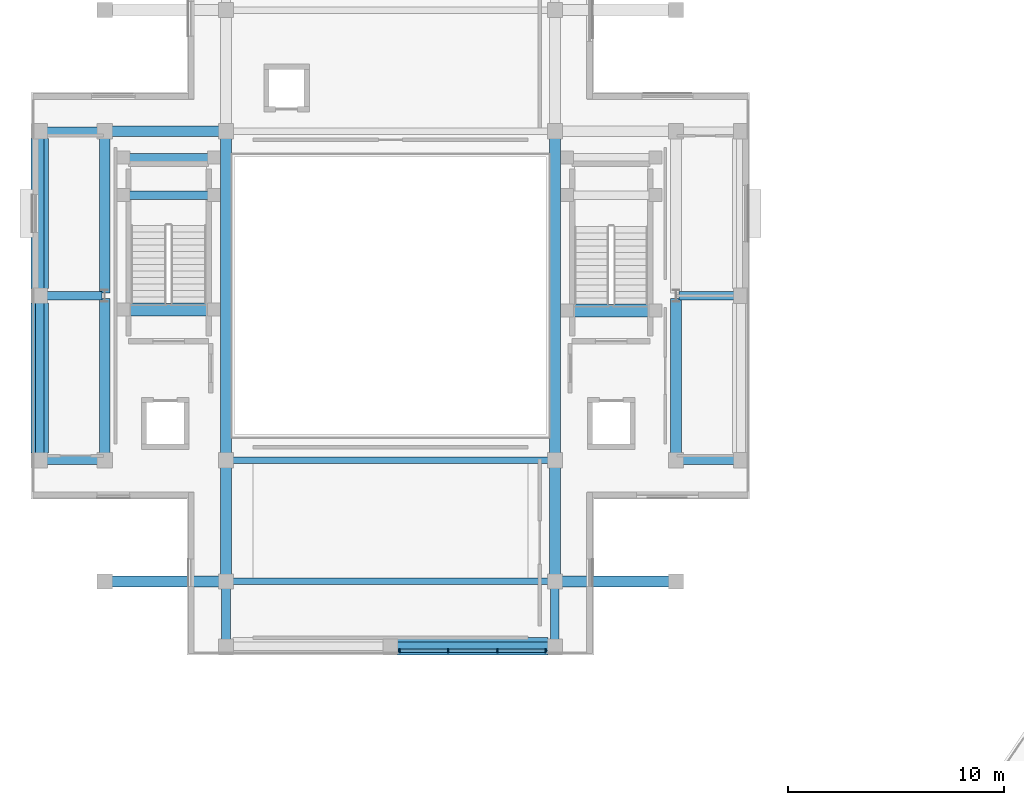
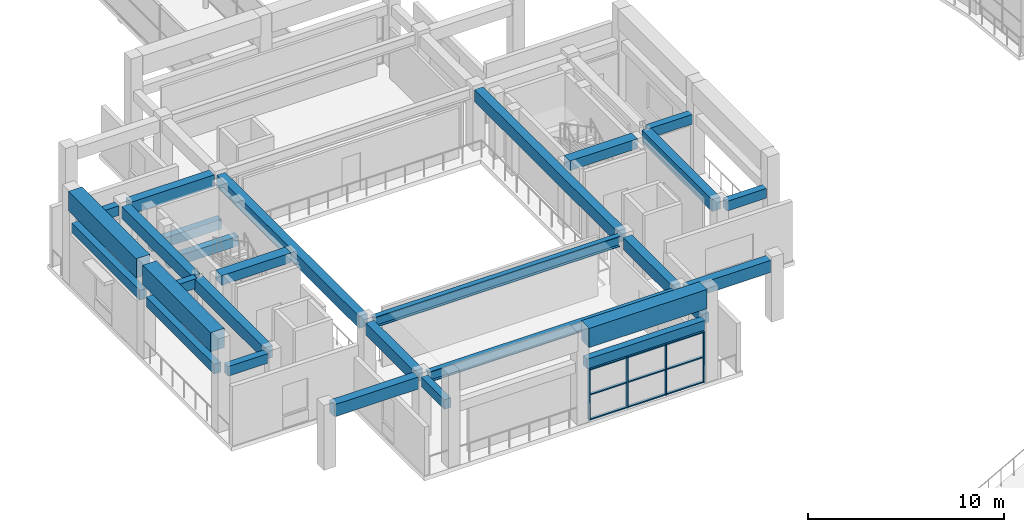
# One storey, part 7 of 29: 29 beams, 13 members, 1 element without a shape of its own.
"""IFC4 building model written with IfcOpenShell, lengths in metres."""

from ifc_helpers import new_model, si_unit, direction, frame, origin, origin_2d, place, context, subcontext, project, spatial, rectangle, i_section, extrude, material, material_profile, profile_set, type_object, element, aggregate, save


model = new_model("IFC4")

# Units and contexts
model_context = context("Model", 3, precision=1e-05, world=origin(), true_north=direction((0.0, 1.0)))
body_context = subcontext(model_context, "Body", "Model", "MODEL_VIEW")
ifc_project = project(units=[si_unit("LENGTHUNIT", "METRE"), si_unit("AREAUNIT", "SQUARE_METRE"), si_unit("VOLUMEUNIT", "CUBIC_METRE"), si_unit("PLANEANGLEUNIT", "RADIAN"), si_unit("MASSUNIT", "GRAM", prefix="KILO")], contexts=[model_context])

# Site, building, storey
site_placement = place(None, origin())
site = spatial("IfcSite", under=ifc_project, at=site_placement, CompositionType="ELEMENT")
building_placement = place(site_placement, origin())
building = spatial("IfcBuilding", under=site, at=building_placement, Name="Saryqyr Civic Hall", CompositionType="ELEMENT")
storey_placement = place(building_placement, frame((0.0, 0.0, 25.35009765625)))
storey = spatial("IfcBuildingStorey", under=building, at=storey_placement, Name="L06", CompositionType="ELEMENT", Elevation=25.35009765625)

# Curtain wall, members
ifc_material_1 = material(Name="Anodised aluminium and triple low-E glass", Category="aluminium")
curtain_wall_type = type_object("IfcCurtainWallType", Name="ENV-CW-HVY-49", PredefinedType="NOTDEFINED", material=ifc_material_1)
curtain_wall_placement = place(storey_placement, origin())
curtain_wall = element("IfcCurtainWall", 1, at=curtain_wall_placement, inside=storey, type_object=curtain_wall_type, Name="Curtain wall V1-CW-L06-11", PredefinedType="NOTDEFINED")
ifc_material_2 = material(Name="Anodised aluminium", Category="aluminium")
ifc_material_profile_1 = material_profile(ifc_material_2, rectangle(XDim=0.070068359375, YDim=0.199951171875, at=origin_2d()), Name="ALU MULLION 70x200")
ifc_profile_set_1 = profile_set([ifc_material_profile_1], Name="Anodised aluminium")
member_type_1 = type_object("IfcMemberType", Name="ENV-CW-MUL-220", PredefinedType="MULLION", material=ifc_profile_set_1)
member_1_placement = place(storey_placement, frame((64.175048828125, 67.60009765625, 0.0), z_axis=(0.0, 0.0, 1.0), x_axis=(-1.0, 0.0, 0.0)))
member_1 = element("IfcMember", 2, at=member_1_placement, type_object=member_type_1, Name="CW-49 mullion 1", PredefinedType="MULLION", context=body_context, shape_type="SweptSolid", body=[
    extrude(rectangle(XDim=0.070068359375, YDim=0.199951171875, at=origin_2d()), origin(), (0.0, 0.0, 1.0), 3.1748046875),
])
member_2_placement = place(storey_placement, frame((61.936767578125, 67.60009765625, 0.0), z_axis=(0.0, 0.0, 1.0), x_axis=(-1.0, 0.0, 0.0)))
member_2 = element("IfcMember", 3, at=member_2_placement, type_object=member_type_1, Name="CW-49 mullion 2", PredefinedType="MULLION", context=body_context, shape_type="SweptSolid", body=[
    extrude(rectangle(XDim=0.070068359375, YDim=0.199951171875, at=origin_2d()), origin(), (0.0, 0.0, 1.0), 3.1748046875),
])
member_3_placement = place(storey_placement, frame((59.663330078125, 67.60009765625, 0.0), z_axis=(0.0, 0.0, 1.0), x_axis=(-1.0, 0.0, 0.0)))
member_3 = element("IfcMember", 4, at=member_3_placement, type_object=member_type_1, Name="CW-49 mullion 3", PredefinedType="MULLION", context=body_context, shape_type="SweptSolid", body=[
    extrude(rectangle(XDim=0.070068359375, YDim=0.199951171875, at=origin_2d()), origin(), (0.0, 0.0, 1.0), 3.1748046875),
])
member_4_placement = place(storey_placement, frame((57.425048828125, 67.60009765625, 0.0), z_axis=(0.0, 0.0, 1.0), x_axis=(-1.0, 0.0, 0.0)))
member_4 = element("IfcMember", 5, at=member_4_placement, type_object=member_type_1, Name="CW-49 mullion 4", PredefinedType="MULLION", context=body_context, shape_type="SweptSolid", body=[
    extrude(rectangle(XDim=0.070068359375, YDim=0.199951171875, at=origin_2d()), origin(), (0.0, 0.0, 1.0), 3.1748046875),
])
ifc_material_profile_2 = material_profile(ifc_material_2, rectangle(XDim=0.14990234375, YDim=0.070068359375, at=origin_2d()), Name="ALU TRANSOM 150x70")
ifc_profile_set_2 = profile_set([ifc_material_profile_2], Name="Anodised aluminium")
member_type_2 = type_object("IfcMemberType", Name="ENV-CW-TRN-180", PredefinedType="USERDEFINED", material=ifc_profile_set_2)
member_5_placement = place(storey_placement, frame((64.139892578125, 67.60009765625, 0.034912109375), z_axis=(-1.0, 0.0, 0.0), x_axis=(0.0, -1.0, 0.0)))
member_5 = element("IfcMember", 6, at=member_5_placement, type_object=member_type_2, Name="CW-49 transom 1.1", ObjectType="TRANSOM", PredefinedType="USERDEFINED", context=body_context, shape_type="SweptSolid", body=[
    extrude(rectangle(XDim=0.14990234375, YDim=0.070068359375, at=origin_2d()), origin(), (0.0, 0.0, 1.0), 2.168212890625),
])
member_6_placement = place(storey_placement, frame((64.139892578125, 67.60009765625, 1.587890625), z_axis=(-1.0, 0.0, 0.0), x_axis=(0.0, -1.0, 0.0)))
member_6 = element("IfcMember", 7, at=member_6_placement, type_object=member_type_2, Name="CW-49 transom 1.2", ObjectType="TRANSOM", PredefinedType="USERDEFINED", context=body_context, shape_type="SweptSolid", body=[
    extrude(rectangle(XDim=0.14990234375, YDim=0.070068359375, at=origin_2d()), origin(), (0.0, 0.0, 1.0), 2.168212890625),
])
member_7_placement = place(storey_placement, frame((64.139892578125, 67.60009765625, 3.139892578125), z_axis=(-1.0, 0.0, 0.0), x_axis=(0.0, -1.0, 0.0)))
member_7 = element("IfcMember", 8, at=member_7_placement, type_object=member_type_2, Name="CW-49 transom 1.3", ObjectType="TRANSOM", PredefinedType="USERDEFINED", context=body_context, shape_type="SweptSolid", body=[
    extrude(rectangle(XDim=0.14990234375, YDim=0.070068359375, at=origin_2d()), origin(), (0.0, 0.0, 1.0), 2.168212890625),
])
member_8_placement = place(storey_placement, frame((61.901611328125, 67.60009765625, 0.034912109375), z_axis=(-1.0, 0.0, 0.0), x_axis=(0.0, -1.0, 0.0)))
member_8 = element("IfcMember", 9, at=member_8_placement, type_object=member_type_2, Name="CW-49 transom 2.1", ObjectType="TRANSOM", PredefinedType="USERDEFINED", context=body_context, shape_type="SweptSolid", body=[
    extrude(rectangle(XDim=0.14990234375, YDim=0.070068359375, at=origin_2d()), origin(), (0.0, 0.0, 1.0), 2.203369140625),
])
member_9_placement = place(storey_placement, frame((61.901611328125, 67.60009765625, 1.587890625), z_axis=(-1.0, 0.0, 0.0), x_axis=(0.0, -1.0, 0.0)))
member_9 = element("IfcMember", 10, at=member_9_placement, type_object=member_type_2, Name="CW-49 transom 2.2", ObjectType="TRANSOM", PredefinedType="USERDEFINED", context=body_context, shape_type="SweptSolid", body=[
    extrude(rectangle(XDim=0.14990234375, YDim=0.070068359375, at=origin_2d()), origin(), (0.0, 0.0, 1.0), 2.203369140625),
])
member_10_placement = place(storey_placement, frame((61.901611328125, 67.60009765625, 3.139892578125), z_axis=(-1.0, 0.0, 0.0), x_axis=(0.0, -1.0, 0.0)))
member_10 = element("IfcMember", 11, at=member_10_placement, type_object=member_type_2, Name="CW-49 transom 2.3", ObjectType="TRANSOM", PredefinedType="USERDEFINED", context=body_context, shape_type="SweptSolid", body=[
    extrude(rectangle(XDim=0.14990234375, YDim=0.070068359375, at=origin_2d()), origin(), (0.0, 0.0, 1.0), 2.203369140625),
])
member_11_placement = place(storey_placement, frame((59.62841796875, 67.60009765625, 0.034912109375), z_axis=(-1.0, 0.0, 0.0), x_axis=(0.0, -1.0, 0.0)))
member_11 = element("IfcMember", 12, at=member_11_placement, type_object=member_type_2, Name="CW-49 transom 3.1", ObjectType="TRANSOM", PredefinedType="USERDEFINED", context=body_context, shape_type="SweptSolid", body=[
    extrude(rectangle(XDim=0.14990234375, YDim=0.070068359375, at=origin_2d()), origin(), (0.0, 0.0, 1.0), 2.16845703125),
])
member_12_placement = place(storey_placement, frame((59.62841796875, 67.60009765625, 1.587890625), z_axis=(-1.0, 0.0, 0.0), x_axis=(0.0, -1.0, 0.0)))
member_12 = element("IfcMember", 13, at=member_12_placement, type_object=member_type_2, Name="CW-49 transom 3.2", ObjectType="TRANSOM", PredefinedType="USERDEFINED", context=body_context, shape_type="SweptSolid", body=[
    extrude(rectangle(XDim=0.14990234375, YDim=0.070068359375, at=origin_2d()), origin(), (0.0, 0.0, 1.0), 2.16845703125),
])
member_13_placement = place(storey_placement, frame((59.62841796875, 67.60009765625, 3.139892578125), z_axis=(-1.0, 0.0, 0.0), x_axis=(0.0, -1.0, 0.0)))
member_13 = element("IfcMember", 14, at=member_13_placement, type_object=member_type_2, Name="CW-49 transom 3.3", ObjectType="TRANSOM", PredefinedType="USERDEFINED", context=body_context, shape_type="SweptSolid", body=[
    extrude(rectangle(XDim=0.14990234375, YDim=0.070068359375, at=origin_2d()), origin(), (0.0, 0.0, 1.0), 2.16845703125),
])
aggregate(curtain_wall, [member_1, member_2, member_3, member_4, member_5, member_6, member_7, member_8, member_9, member_10, member_11, member_12, member_13])

# Beams
ifc_material_3 = material(Name="Steel S355", Category="steel")
ifc_material_profile_3 = material_profile(ifc_material_3, i_section(OverallWidth=0.300048828125, OverallDepth=0.64990234375, WebThickness=0.01611328125, FlangeThickness=0.031005859375, at=origin_2d()), Name="HEB 650")
ifc_profile_set_3 = profile_set([ifc_material_profile_3], Name="Steel S355")
beam_type_1 = type_object("IfcBeamType", Name="STR-BM-HEB650", PredefinedType="BEAM", material=ifc_profile_set_3)
for number, where, z_axis, x_axis, name in (
    (15, (49.72509765625, 70.800048828125, 3.474853515625), (1.0, 0.0, 0.0), (0.0, 1.0, 0.0), "Beam V1-GBM-EW1-L06"),
    (16, (49.72509765625, 76.39990234375, 3.474853515625), (1.0, 0.0, 0.0), (0.0, 1.0, 0.0), "Beam V1-GBM-EW2-L06"),
):
    element("IfcBeam", number, at=place(storey_placement, frame(where, z_axis=z_axis, x_axis=x_axis)), inside=storey, type_object=beam_type_1, Name=name, PredefinedType="BEAM", context=body_context, shape_type="SweptSolid", body=[
        extrude(i_section(OverallWidth=0.300048828125, OverallDepth=0.64990234375, WebThickness=0.01611328125, FlangeThickness=0.031005859375, at=origin_2d()), origin(), (0.0, 0.0, 1.0), 14.5498046875),
    ])
ifc_material_4 = material(Name="Concrete C35/45", Category="concrete")
ifc_material_profile_4 = material_profile(ifc_material_4, rectangle(XDim=0.39990234375, YDim=0.60009765625, at=origin_2d()), Name="RC 400x600")
ifc_profile_set_4 = profile_set([ifc_material_profile_4], Name="Concrete C35/45")
beam_type_2 = type_object("IfcBeamType", Name="STR-BM-RC400x600", PredefinedType="BEAM", material=ifc_profile_set_4)
beam_1_placement = place(storey_placement, frame((41.125, 76.39990234375, 3.5), z_axis=(1.0, 0.0, 0.0), x_axis=(0.0, 1.0, 0.0)))
element("IfcBeam", 17, at=beam_1_placement, inside=storey, type_object=beam_type_2, Name="Beam V1-TBM-01-L06", PredefinedType="BEAM", context=body_context, shape_type="SweptSolid", body=[
    extrude(rectangle(XDim=0.39990234375, YDim=0.60009765625, at=origin_2d()), origin(), (0.0, 0.0, 1.0), 2.35009765625),
])
beam_2_placement = place(storey_placement, frame((41.125, 84.0, 3.5), z_axis=(1.0, 0.0, 0.0), x_axis=(0.0, 1.0, 0.0)))
element("IfcBeam", 18, at=beam_2_placement, inside=storey, type_object=beam_type_2, Name="Beam V1-TBM-02-L06", PredefinedType="BEAM", context=body_context, shape_type="SweptSolid", body=[
    extrude(rectangle(XDim=0.39990234375, YDim=0.60009765625, at=origin_2d()), origin(), (0.0, 0.0, 1.0), 2.550048828125),
])
for number, where, z_axis, x_axis, name in (
    (19, (41.125, 91.60009765625, 3.5), (1.0, 0.0, 0.0), (0.0, 1.0, 0.0), "Beam V1-TBM-03-L06"),
    (20, (70.52490234375, 76.39990234375, 3.5), (1.0, 0.0, 0.0), (0.0, 1.0, 0.0), "Beam V1-TBM-04-L06"),
):
    element("IfcBeam", number, at=place(storey_placement, frame(where, z_axis=z_axis, x_axis=x_axis)), inside=storey, type_object=beam_type_2, Name=name, PredefinedType="BEAM", context=body_context, shape_type="SweptSolid", body=[
        extrude(rectangle(XDim=0.39990234375, YDim=0.60009765625, at=origin_2d()), origin(), (0.0, 0.0, 1.0), 2.35009765625),
    ])
beam_3_placement = place(storey_placement, frame((70.324951171875, 84.0, 3.5), z_axis=(1.0, 0.0, 0.0), x_axis=(0.0, 1.0, 0.0)))
element("IfcBeam", 21, at=beam_3_placement, inside=storey, type_object=beam_type_2, Name="Beam V1-TBM-05-L06", PredefinedType="BEAM", context=body_context, shape_type="SweptSolid", body=[
    extrude(rectangle(XDim=0.39990234375, YDim=0.60009765625, at=origin_2d()), origin(), (0.0, 0.0, 1.0), 2.550048828125),
])
for number, where, z_axis, x_axis, name in (
    (22, (49.39990234375, 68.125, 3.5), (0.0, 1.0, 0.0), (-1.0, 0.0, 0.0), "Beam V1-TBM-07-L06"),
    (23, (64.60009765625, 68.125, 3.5), (0.0, 1.0, 0.0), (-1.0, 0.0, 0.0), "Beam V1-TBM-08-L06"),
):
    element("IfcBeam", number, at=place(storey_placement, frame(where, z_axis=z_axis, x_axis=x_axis)), inside=storey, type_object=beam_type_2, Name=name, PredefinedType="BEAM", context=body_context, shape_type="SweptSolid", body=[
        extrude(rectangle(XDim=0.39990234375, YDim=0.60009765625, at=origin_2d()), origin(), (0.0, 0.0, 1.0), 2.35009765625),
    ])
for number, where, z_axis, x_axis, name in (
    (24, (40.800048828125, 76.72509765625, 3.5), (0.0, 1.0, 0.0), (-1.0, 0.0, 0.0), "Beam V1-TBM-11-L06"),
    (25, (40.800048828125, 84.324951171875, 3.5), (0.0, 1.0, 0.0), (-1.0, 0.0, 0.0), "Beam V1-TBM-12-L06"),
    (26, (57.324951171875, 67.800048828125, 3.5), (1.0, 0.0, 0.0), (0.0, 1.0, 0.0), "Beam V1-TBM-16-L06"),
):
    element("IfcBeam", number, at=place(storey_placement, frame(where, z_axis=z_axis, x_axis=x_axis)), inside=storey, type_object=beam_type_2, Name=name, PredefinedType="BEAM", context=body_context, shape_type="SweptSolid", body=[
        extrude(rectangle(XDim=0.39990234375, YDim=0.60009765625, at=origin_2d()), origin(), (0.0, 0.0, 1.0), 6.949951171875),
    ])
for number, where, z_axis, x_axis, name in (
    (27, (48.800048828125, 88.64990234375, 1.52490234375), (-1.0, 0.0, 0.0), (0.0, -1.0, 0.0), "Stair half-landing support beam ST-1-LND1-L06"),
    (28, (48.800048828125, 90.3798828125, 1.52490234375), (-1.0, 0.0, 0.0), (0.0, -1.0, 0.0), "Stair half-landing support beam ST-1-LND2-L06"),
):
    element("IfcBeam", number, at=place(storey_placement, frame(where, z_axis=z_axis, x_axis=x_axis)), inside=storey, type_object=beam_type_2, Name=name, PredefinedType="BEAM", context=body_context, shape_type="SweptSolid", body=[
        extrude(rectangle(XDim=0.39990234375, YDim=0.60009765625, at=origin_2d()), origin(), (0.0, 0.0, 1.0), 4.10009765625),
    ])
ifc_material_5 = material(Name="Concrete C40/50", Category="concrete")
ifc_material_profile_5 = material_profile(ifc_material_5, rectangle(XDim=0.5, YDim=0.75, at=origin_2d()), Name="RC 500x750")
ifc_profile_set_5 = profile_set([ifc_material_profile_5], Name="Concrete C40/50")
beam_type_3 = type_object("IfcBeamType", Name="STR-BM-RC500x750", PredefinedType="BEAM", material=ifc_profile_set_5)
for number, where, z_axis, x_axis, name in (
    (29, (44.125, 70.800048828125, 3.4248046875), (1.0, 0.0, 0.0), (0.0, 1.0, 0.0), "Beam V1-WBM-W1-L06"),
    (30, (64.925048828125, 70.800048828125, 3.4248046875), (1.0, 0.0, 0.0), (0.0, 1.0, 0.0), "Beam V1-WBM-E1-L06"),
    (31, (44.125, 91.60009765625, 3.4248046875), (1.0, 0.0, 0.0), (0.0, 1.0, 0.0), "Beam V1-WBM-W3-L06"),
):
    element("IfcBeam", number, at=place(storey_placement, frame(where, z_axis=z_axis, x_axis=x_axis)), inside=storey, type_object=beam_type_3, Name=name, PredefinedType="BEAM", context=body_context, shape_type="SweptSolid", body=[
        extrude(rectangle(XDim=0.5, YDim=0.75, at=origin_2d()), origin(), (0.0, 0.0, 1.0), 4.949951171875),
    ])
for number, where, z_axis, x_axis, name in (
    (32, (43.800048828125, 76.72509765625, 3.4248046875), (0.0, 1.0, 0.0), (-1.0, 0.0, 0.0), "Beam V1-BM-NS1A-L06"),
    (33, (43.800048828125, 84.125, 3.4248046875), (0.0, 1.0, 0.0), (-1.0, 0.0, 0.0), "Beam V1-BM-NS1B-L06"),
):
    element("IfcBeam", number, at=place(storey_placement, frame(where, z_axis=z_axis, x_axis=x_axis)), inside=storey, type_object=beam_type_3, Name=name, PredefinedType="BEAM", context=body_context, shape_type="SweptSolid", body=[
        extrude(rectangle(XDim=0.5, YDim=0.75, at=origin_2d()), origin(), (0.0, 0.0, 1.0), 7.14990234375),
    ])
beam_4_placement = place(storey_placement, frame((49.39990234375, 71.125, 3.4248046875), z_axis=(0.0, 1.0, 0.0), x_axis=(-1.0, 0.0, 0.0)))
element("IfcBeam", 34, at=beam_4_placement, inside=storey, type_object=beam_type_3, Name="Beam V1-BM-NS21-L06", PredefinedType="BEAM", context=body_context, shape_type="SweptSolid", body=[
    extrude(rectangle(XDim=0.5, YDim=0.75, at=origin_2d()), origin(), (0.0, 0.0, 1.0), 4.949951171875),
])
beam_5_placement = place(storey_placement, frame((49.39990234375, 76.72509765625, 3.4248046875), z_axis=(0.0, 1.0, 0.0), x_axis=(-1.0, 0.0, 0.0)))
element("IfcBeam", 35, at=beam_5_placement, inside=storey, type_object=beam_type_3, Name="Beam V1-BM-NS22-L06", PredefinedType="BEAM", context=body_context, shape_type="SweptSolid", body=[
    extrude(rectangle(XDim=0.5, YDim=0.75, at=origin_2d()), origin(), (0.0, 0.0, 1.0), 14.5498046875),
])
beam_6_placement = place(storey_placement, frame((64.60009765625, 71.125, 3.4248046875), z_axis=(0.0, 1.0, 0.0), x_axis=(-1.0, 0.0, 0.0)))
element("IfcBeam", 36, at=beam_6_placement, inside=storey, type_object=beam_type_3, Name="Beam V1-BM-NS31-L06", PredefinedType="BEAM", context=body_context, shape_type="SweptSolid", body=[
    extrude(rectangle(XDim=0.5, YDim=0.75, at=origin_2d()), origin(), (0.0, 0.0, 1.0), 4.949951171875),
])
beam_7_placement = place(storey_placement, frame((64.60009765625, 76.72509765625, 3.4248046875), z_axis=(0.0, 1.0, 0.0), x_axis=(-1.0, 0.0, 0.0)))
element("IfcBeam", 37, at=beam_7_placement, inside=storey, type_object=beam_type_3, Name="Beam V1-BM-NS32-L06", PredefinedType="BEAM", context=body_context, shape_type="SweptSolid", body=[
    extrude(rectangle(XDim=0.5, YDim=0.75, at=origin_2d()), origin(), (0.0, 0.0, 1.0), 14.5498046875),
])
beam_8_placement = place(storey_placement, frame((70.199951171875, 76.72509765625, 3.4248046875), z_axis=(0.0, 1.0, 0.0), x_axis=(-1.0, 0.0, 0.0)))
element("IfcBeam", 38, at=beam_8_placement, inside=storey, type_object=beam_type_3, Name="Beam V1-BM-NS4A-L06", PredefinedType="BEAM", context=body_context, shape_type="SweptSolid", body=[
    extrude(rectangle(XDim=0.5, YDim=0.75, at=origin_2d()), origin(), (0.0, 0.0, 1.0), 7.14990234375),
])
ifc_material_profile_6 = material_profile(ifc_material_5, rectangle(XDim=0.60009765625, YDim=0.60009765625, at=origin_2d()), Name="RC 600x600")
ifc_profile_set_6 = profile_set([ifc_material_profile_6], Name="Concrete C40/50")
beam_type_4 = type_object("IfcBeamType", Name="STR-BM-RC600x600", PredefinedType="BEAM", material=ifc_profile_set_6)
beam_9_placement = place(storey_placement, frame((48.800048828125, 83.364990234375, 3.75), z_axis=(-1.0, 0.0, 0.0), x_axis=(0.0, -1.0, 0.0)))
element("IfcBeam", 39, at=beam_9_placement, inside=storey, type_object=beam_type_4, Name="Stair well trimmer beam ST-1-L07", PredefinedType="BEAM", context=body_context, shape_type="SweptSolid", body=[
    extrude(rectangle(XDim=0.60009765625, YDim=0.60009765625, at=origin_2d()), origin(), (0.0, 0.0, 1.0), 4.10009765625),
])
beam_10_placement = place(storey_placement, frame((69.199951171875, 83.31494140625, 3.75), z_axis=(-1.0, 0.0, 0.0), x_axis=(0.0, -1.0, 0.0)))
element("IfcBeam", 40, at=beam_10_placement, inside=storey, type_object=beam_type_4, Name="Stair well trimmer beam ST-2-L07", PredefinedType="BEAM", context=body_context, shape_type="SweptSolid", body=[
    extrude(rectangle(XDim=0.60009765625, YDim=0.60009765625, at=origin_2d()), origin(), (0.0, 0.0, 1.0), 4.0),
])
ifc_material_profile_7 = material_profile(ifc_material_5, rectangle(XDim=0.800048828125, YDim=1.199951171875, at=origin_2d()), Name="RC 800x1200")
ifc_profile_set_7 = profile_set([ifc_material_profile_7], Name="Concrete C40/50")
beam_type_5 = type_object("IfcBeamType", Name="STR-BM-RING-RC800x1200", PredefinedType="BEAM", material=ifc_profile_set_7)
for number, where, z_axis, x_axis, name in (
    (41, (40.800048828125, 76.72509765625, 5.25), (0.0, 1.0, 0.0), (-1.0, 0.0, 0.0), "Beam V1-RB31-01"),
    (42, (40.800048828125, 84.324951171875, 5.25), (0.0, 1.0, 0.0), (-1.0, 0.0, 0.0), "Beam V1-RB31-02"),
    (43, (57.324951171875, 67.800048828125, 5.25), (1.0, 0.0, 0.0), (0.0, 1.0, 0.0), "Beam V1-RB31-06"),
):
    element("IfcBeam", number, at=place(storey_placement, frame(where, z_axis=z_axis, x_axis=x_axis)), inside=storey, type_object=beam_type_5, Name=name, PredefinedType="BEAM", context=body_context, shape_type="SweptSolid", body=[
        extrude(rectangle(XDim=0.800048828125, YDim=1.199951171875, at=origin_2d()), origin(), (0.0, 0.0, 1.0), 6.949951171875),
    ])

save(model, "model.ifc")
